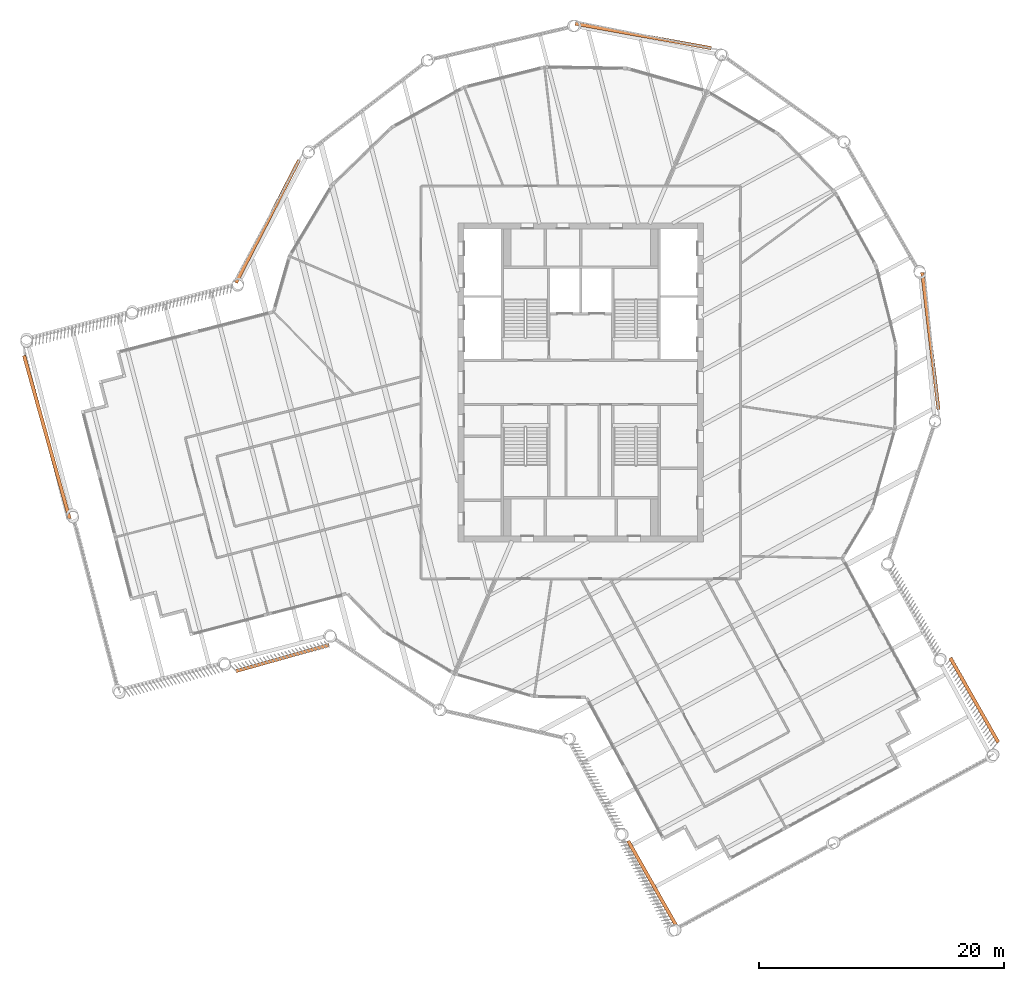
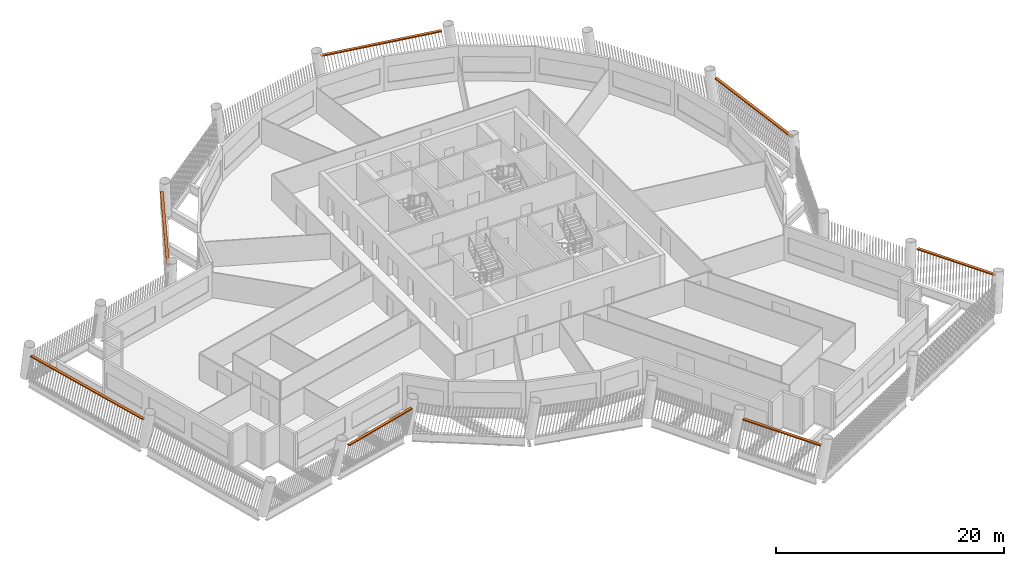
# One storey, part 14 of 14: 7 proxies.
"""IFC4 building model written with IfcOpenShell, lengths in metres."""

from ifc_helpers import new_model, si_unit, direction, frame, origin, origin_2d, place, context, subcontext, project, spatial, rectangle, extrude, material, type_object, element, save


model = new_model("IFC4")

# Units and contexts
model_context = context("Model", 3, precision=1e-05, world=origin(), true_north=direction((0.0, 1.0)))
body_context = subcontext(model_context, "Body", "Model", "MODEL_VIEW")
ifc_project = project(units=[si_unit("LENGTHUNIT", "METRE"), si_unit("AREAUNIT", "SQUARE_METRE"), si_unit("VOLUMEUNIT", "CUBIC_METRE"), si_unit("PLANEANGLEUNIT", "RADIAN"), si_unit("MASSUNIT", "GRAM", prefix="KILO")], contexts=[model_context])

# Site, building, storey
site_placement = place(None, origin())
site = spatial("IfcSite", under=ifc_project, at=site_placement, CompositionType="ELEMENT")
building_placement = place(site_placement, origin())
building = spatial("IfcBuilding", under=site, at=building_placement, Name="Tarsis Ring Headquarters", CompositionType="ELEMENT")
storey_placement = place(building_placement, frame((0.0, 0.0, 343.10009765625)))
storey = spatial("IfcBuildingStorey", under=building, at=storey_placement, Name="L81", CompositionType="ELEMENT", Elevation=343.10009765625)

# Proxies
ifc_material = material(Name="Structural steel S355", Category="steel")
building_element_proxy_type = type_object("IfcBuildingElementProxyType", Name="Screen bracket plate", PredefinedType="USERDEFINED", material=ifc_material)
for number, where, z_axis, x_axis, name in (
    (1, (5.817138671875, -40.80029296875, 2.967529296875), (0.0, 0.0, 1.0), (0.493941851409, -0.869494938126, 0.0), "Screen bracket L81-02"),
    (2, (32.067138671875, -25.88818359375, 2.967529296875), (0.0, 0.0, 1.0), (-0.493941942462, 0.869494886401, 0.0), "Screen bracket L81-05"),
):
    element("IfcBuildingElementProxy", number, at=place(storey_placement, frame(where, z_axis=z_axis, x_axis=x_axis)), inside=storey, type_object=building_element_proxy_type, Name=name, ObjectType="Bracket", PredefinedType="USERDEFINED", context=body_context, shape_type="SweptSolid", body=[
        extrude(rectangle(XDim=7.90234375, YDim=0.280029296875, at=origin_2d()), origin(), (0.0, 0.0, 1.0), 0.1201171875),
    ])
for number, where, z_axis, x_axis, name in (
    (3, (28.491943359375, 3.369140625, 2.967529296875), (0.0, 0.0, 1.0), (-0.117429537773, 0.99308121705, 0.0), "Screen bracket L81-08"),
    (4, (5.0947265625, 28.234619140625, 2.967529296875), (0.0, 0.0, 1.0), (-0.984106613709, 0.177578638507, 0.0), "Screen bracket L81-11"),
    (5, (-25.517578125, 13.114990234375, 2.967529296875), (0.0, 0.0, 1.0), (-0.457117765651, -0.88940617736, 0.0), "Screen bracket L81-14"),
):
    element("IfcBuildingElementProxy", number, at=place(storey_placement, frame(where, z_axis=z_axis, x_axis=x_axis)), inside=storey, type_object=building_element_proxy_type, Name=name, ObjectType="Bracket", PredefinedType="USERDEFINED", context=body_context, shape_type="SweptSolid", body=[
        extrude(rectangle(XDim=11.248779296875, YDim=0.280029296875, at=origin_2d()), origin(), (0.0, 0.0, 1.0), 0.1201171875),
    ])
proxy_1_placement = place(storey_placement, frame((-43.49755859375, -4.461669921875, 2.967529296875), z_axis=(0.0, 0.0, 1.0), x_axis=(0.268919803805, -0.963162571491, 0.0)))
element("IfcBuildingElementProxy", 6, at=proxy_1_placement, inside=storey, type_object=building_element_proxy_type, Name="Screen bracket L81-17", ObjectType="Bracket", PredefinedType="USERDEFINED", context=body_context, shape_type="SweptSolid", body=[
    extrude(rectangle(XDim=13.800048828125, YDim=0.280029296875, at=origin_2d()), origin(), (0.0, 0.0, 1.0), 0.1201171875),
])
proxy_2_placement = place(storey_placement, frame((-24.302490234375, -22.457763671875, 2.967529296875), z_axis=(0.0, 0.0, 1.0), x_axis=(0.963162580878, 0.268919770184, 0.0)))
element("IfcBuildingElementProxy", 7, at=proxy_2_placement, inside=storey, type_object=building_element_proxy_type, Name="Screen bracket L81-20", ObjectType="Bracket", PredefinedType="USERDEFINED", context=body_context, shape_type="SweptSolid", body=[
    extrude(rectangle(XDim=7.90234375, YDim=0.280029296875, at=origin_2d()), origin(), (0.0, 0.0, 1.0), 0.1201171875),
])

save(model, "model.ifc")
